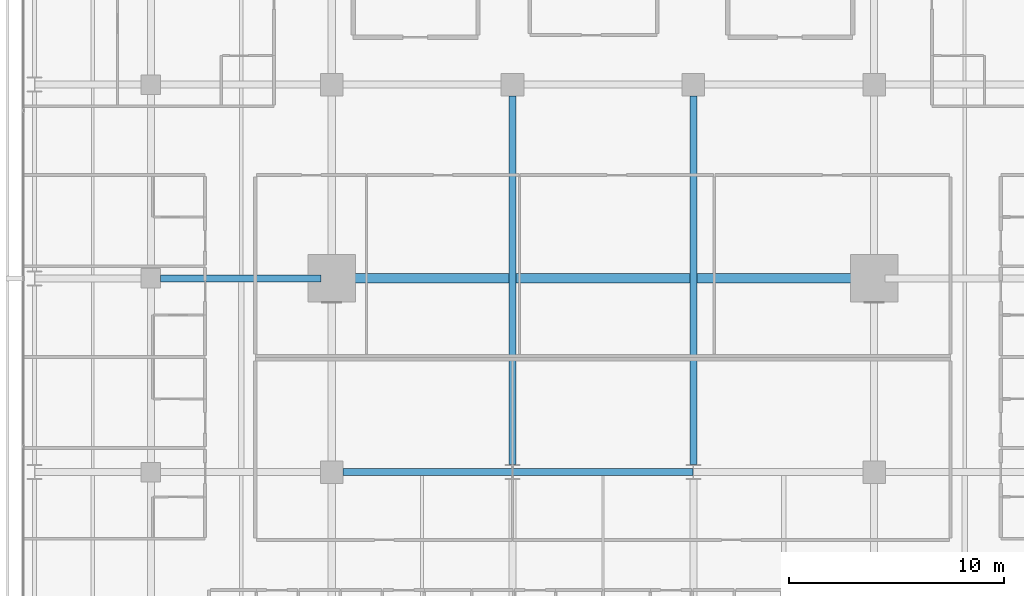
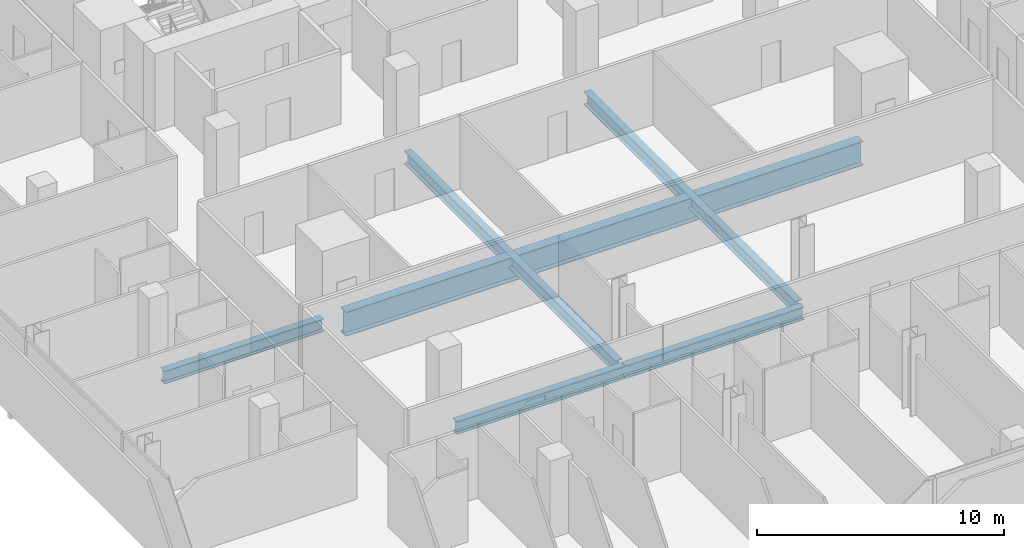
# One storey, part 13 of 40: 6 beams.
"""IFC4 building model written with IfcOpenShell, lengths in metres."""

from ifc_helpers import new_model, si_unit, direction, frame, origin, origin_2d, place, context, subcontext, project, spatial, i_section, extrude, material, material_profile, profile_set, type_object, element, save


model = new_model("IFC4")

# Units and contexts
model_context = context("Model", 3, precision=1e-05, world=origin(), true_north=direction((0.0, 1.0)))
body_context = subcontext(model_context, "Body", "Model", "MODEL_VIEW")
ifc_project = project(units=[si_unit("LENGTHUNIT", "METRE"), si_unit("AREAUNIT", "SQUARE_METRE"), si_unit("VOLUMEUNIT", "CUBIC_METRE"), si_unit("PLANEANGLEUNIT", "RADIAN"), si_unit("MASSUNIT", "GRAM", prefix="KILO")], contexts=[model_context])

# Site, building, storey
site_placement = place(None, origin())
site = spatial("IfcSite", under=ifc_project, at=site_placement, CompositionType="ELEMENT")
building_placement = place(site_placement, origin())
building = spatial("IfcBuilding", under=site, at=building_placement, Name="Maruvema Waterfront Hotel and Observation Tower", CompositionType="ELEMENT")
storey_placement = place(building_placement, frame((0.0, 0.0, 30.800048828125)))
storey = spatial("IfcBuildingStorey", under=building, at=storey_placement, Name="L06", CompositionType="ELEMENT", Elevation=30.800048828125)

# Beams
ifc_material_1 = material(Name="Steel ASTM A572 Grade 50", Category="steel")
ifc_material_profile_1 = material_profile(ifc_material_1, i_section(OverallWidth=0.3291015625, OverallDepth=0.635009765625, WebThickness=0.017822265625, FlangeThickness=0.031005859375, FilletRadius=0.01806640625, at=origin_2d()), Name="W610x241.0")
ifc_profile_set_1 = profile_set([ifc_material_profile_1], Name="Steel ASTM A572 Grade 50")
beam_type_1 = type_object("IfcBeamType", Name="Primary Floor Girder W610x241.0", PredefinedType="BEAM", material=ifc_profile_set_1)
beam_1_placement = place(storey_placement, frame((25.72509765625, 18.0, -0.5576171875), z_axis=(1.0, 0.0, 0.0), x_axis=(0.0, 1.0, 0.0)))
element("IfcBeam", 1, at=beam_1_placement, inside=storey, type_object=beam_type_1, Name="L06 Floor Girder EW-15", PredefinedType="BEAM", context=body_context, shape_type="SweptSolid", body=[
    extrude(i_section(OverallWidth=0.3291015625, OverallDepth=0.635009765625, WebThickness=0.017822265625, FlangeThickness=0.031005859375, FilletRadius=0.01806640625, at=origin_2d()), origin(), (0.0, 0.0, 1.0), 7.86083984375),
])
beam_2_placement = place(storey_placement, frame((33.614013671875, 18.0, -0.5576171875), z_axis=(1.0, 0.0, 0.0), x_axis=(0.0, 1.0, 0.0)))
element("IfcBeam", 2, at=beam_2_placement, inside=storey, type_object=beam_type_1, Name="L06 Floor Girder EW-16", PredefinedType="BEAM", context=body_context, shape_type="SweptSolid", body=[
    extrude(i_section(OverallWidth=0.3291015625, OverallDepth=0.635009765625, WebThickness=0.017822265625, FlangeThickness=0.031005859375, FilletRadius=0.01806640625, at=origin_2d()), origin(), (0.0, 0.0, 1.0), 8.3720703125),
])
beam_3_placement = place(storey_placement, frame((17.25, 27.0, -0.5576171875), z_axis=(1.0, 0.0, 0.0), x_axis=(0.0, 1.0, 0.0)))
element("IfcBeam", 3, at=beam_3_placement, inside=storey, type_object=beam_type_1, Name="L06 Floor Girder EW-21", PredefinedType="BEAM", context=body_context, shape_type="SweptSolid", body=[
    extrude(i_section(OverallWidth=0.3291015625, OverallDepth=0.635009765625, WebThickness=0.017822265625, FlangeThickness=0.031005859375, FilletRadius=0.01806640625, at=origin_2d()), origin(), (0.0, 0.0, 1.0), 7.449951171875),
])
for number, where, z_axis, x_axis, name in (
    (4, (33.60009765625, 18.35009765625, -0.5576171875), (0.0, 1.0, 0.0), (-1.0, 0.0, 0.0), "L06 Floor Girder NS-18"),
    (5, (42.0, 18.35009765625, -0.5576171875), (0.0, 1.0, 0.0), (-1.0, 0.0, 0.0), "L06 Floor Girder NS-21"),
):
    element("IfcBeam", number, at=place(storey_placement, frame(where, z_axis=z_axis, x_axis=x_axis)), inside=storey, type_object=beam_type_1, Name=name, PredefinedType="BEAM", context=body_context, shape_type="SweptSolid", body=[
        extrude(i_section(OverallWidth=0.3291015625, OverallDepth=0.635009765625, WebThickness=0.017822265625, FlangeThickness=0.031005859375, FilletRadius=0.01806640625, at=origin_2d()), origin(), (0.0, 0.0, 1.0), 17.125),
    ])
ifc_material_2 = material(Name="Steel ABNT NBR 7007 AR 415 (ASTM A572 Grade 50)", Category="steel")
ifc_material_profile_2 = material_profile(ifc_material_2, i_section(OverallWidth=0.449951171875, OverallDepth=1.199951171875, WebThickness=0.01904296875, FlangeThickness=0.031982421875, at=origin_2d()), Name="VS1200x366")
ifc_profile_set_2 = profile_set([ifc_material_profile_2], Name="Steel ABNT NBR 7007 AR 415 (ASTM A572 Grade 50)")
beam_type_2 = type_object("IfcBeamType", Name="Upper Setback Transfer Girder VS1200x366", PredefinedType="USERDEFINED", material=ifc_profile_set_2)
beam_4_placement = place(storey_placement, frame((25.699951171875, 27.0, -0.840087890625), z_axis=(1.0, 0.0, 0.0), x_axis=(0.0, 1.0, 0.0)))
element("IfcBeam", 6, at=beam_4_placement, inside=storey, type_object=beam_type_2, Name="L06 Floor Girder EW-22", ObjectType="TRANSFER GIRDER", PredefinedType="USERDEFINED", context=body_context, shape_type="SweptSolid", body=[
    extrude(i_section(OverallWidth=0.449951171875, OverallDepth=1.199951171875, WebThickness=0.01904296875, FlangeThickness=0.031982421875, at=origin_2d()), origin(), (0.0, 0.0, 1.0), 24.199951171875),
])

save(model, "model.ifc")
